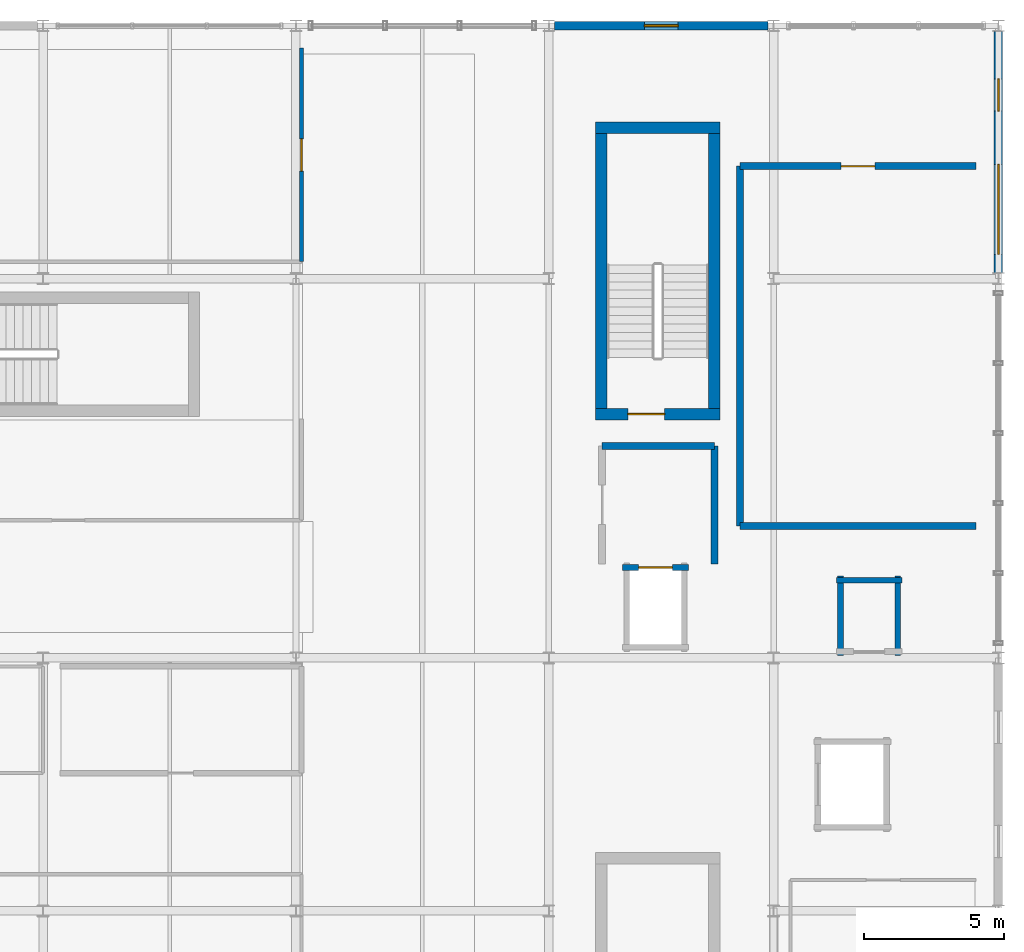
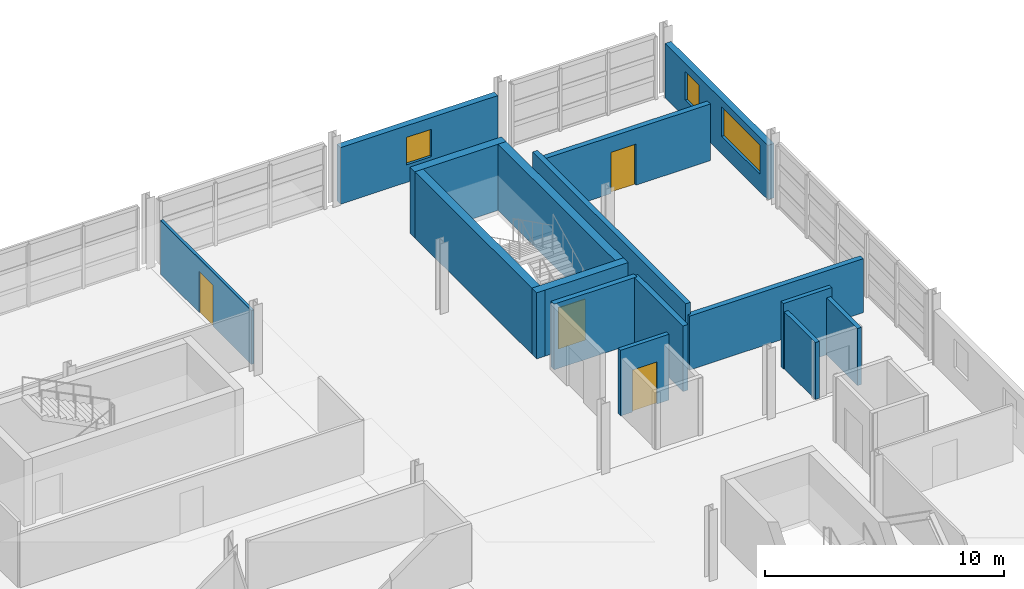
# One storey, part 103 of 116: 16 walls, 4 doors, 3 windows, 7 openings.
"""IFC4 building model written with IfcOpenShell, lengths in metres."""

from ifc_helpers import new_model, si_unit, direction, frame, frame_2d, origin, place, context, subcontext, project, spatial, rectangle, extrude, material, layer, layer_set, type_object, element, fill, save


model = new_model("IFC4")

# Units and contexts
model_context = context("Model", 3, precision=1e-05, world=origin(), true_north=direction((0.0, 1.0)))
body_context = subcontext(model_context, "Body", "Model", "MODEL_VIEW")
ifc_project = project(units=[si_unit("LENGTHUNIT", "METRE"), si_unit("AREAUNIT", "SQUARE_METRE"), si_unit("VOLUMEUNIT", "CUBIC_METRE"), si_unit("PLANEANGLEUNIT", "RADIAN"), si_unit("MASSUNIT", "GRAM", prefix="KILO")], contexts=[model_context])

# Site, building, storey
site_placement = place(None, origin())
site = spatial("IfcSite", under=ifc_project, at=site_placement, CompositionType="ELEMENT")
building_placement = place(site_placement, origin())
building = spatial("IfcBuilding", under=site, at=building_placement, Name="Chuanluo Vaults Station", CompositionType="ELEMENT")
storey_placement = place(building_placement, frame((0.0, 0.0, 10.800048828125)))
storey = spatial("IfcBuildingStorey", under=building, at=storey_placement, Name="L02", CompositionType="ELEMENT", Elevation=10.800048828125)

# Walls
ifc_material_1 = material(Name="Concrete C50", Category="concrete")
ifc_layer_1 = layer(ifc_material_1, 0.39990234375)
ifc_layer_set_1 = layer_set([ifc_layer_1], Name="Concrete C50")
wall_type_1 = type_object("IfcWallType", Name="WL-COR-400", PredefinedType="SHEAR", material=ifc_layer_set_1)
for number, where, z_axis, x_axis, name in (
    (1, (177.887451171875, 111.97509765625, 0.0), (0.0, 0.0, 1.0), (0.0, 1.0, 0.0), "Core K2 left shear wall"),
    (2, (173.867431640625, 122.572509765625, 0.0), (0.0, 0.0, 1.0), (0.0, -1.0, 0.0), "Core K2 right shear wall"),
):
    element("IfcWall", number, at=place(storey_placement, frame(where, z_axis=z_axis, x_axis=x_axis)), inside=storey, type_object=wall_type_1, Name=name, PredefinedType="SHEAR", context=body_context, shape_type="SweptSolid", body=[
        extrude(rectangle(XDim=10.597412109375, YDim=0.39990234375, at=frame_2d((5.298828125, 0.0))), origin(), (0.0, 0.0, 1.0), 3.3798828125),
    ])
wall_1_placement = place(storey_placement, frame((178.08740234375, 122.37255859375, 0.0), z_axis=(0.0, 0.0, 1.0), x_axis=(-1.0, 0.0, 0.0)))
element("IfcWall", 3, at=wall_1_placement, inside=storey, type_object=wall_type_1, Name="Core K2 far shear wall", PredefinedType="SHEAR", context=body_context, shape_type="SweptSolid", body=[
    extrude(rectangle(XDim=4.419921875, YDim=0.39990234375, at=frame_2d((2.2099609375, 0.0))), origin(), (0.0, 0.0, 1.0), 3.3798828125),
])

# Wall, opening, door
wall_2_placement = place(storey_placement, frame((173.66748046875, 112.175048828125, 0.0), z_axis=(0.0, 0.0, 1.0), x_axis=(1.0, 0.0, 0.0)))
wall_2 = element("IfcWall", 4, at=wall_2_placement, inside=storey, type_object=wall_type_1, Name="Core K2 near shear wall", PredefinedType="SHEAR", context=body_context, shape_type="SweptSolid", body=[
    extrude(rectangle(XDim=4.419921875, YDim=0.39990234375, at=frame_2d((2.2099609375, 0.0))), origin(), (0.0, 0.0, 1.0), 3.3798828125),
])
opening_1_placement = place(wall_2_placement, frame((1.14990234375, 0.0, 0.0)))
opening_1 = element("IfcOpeningElement", 5, at=opening_1_placement, cuts=wall_2, Name="Opening FD-05", PredefinedType="OPENING", context=body_context, shape_type="SweptSolid", body=[
    extrude(rectangle(XDim=1.300048828125, YDim=2.10009765625, at=frame_2d((0.64990234375, 1.050048828125))), frame((0.0, 0.20995, 0.0), z_axis=(0.0, -1.0, 0.0), x_axis=(1.0, 0.0, 0.0)), (0.0, 0.0, 1.0), 0.4199),
])
ifc_material_2 = material(Name="Fire-rated steel leaf", Category="steel")
door_type_1 = type_object("IfcDoorType", Name="DR-FIR-1300x2100", OperationType="NOTDEFINED", PredefinedType="DOOR", material=ifc_material_2)
door_1_placement = place(opening_1_placement, origin())
door_1 = element("IfcDoor", 6, at=door_1_placement, inside=storey, type_object=door_type_1, Name="D-068 Stair ST-02 fire door", OperationType="SINGLE_SWING_LEFT", OverallHeight=2.10009765625, OverallWidth=1.300048828125, PredefinedType="DOOR", context=body_context, shape_type="SweptSolid", body=[
    extrude(rectangle(XDim=1.300048828125, YDim=2.10009765625, at=frame_2d((0.64990234375, 1.050048828125))), frame((0.0, 0.02490234375, 0.0), z_axis=(0.0, -1.0, 0.0), x_axis=(1.0, 0.0, 0.0)), (0.0, 0.0, 1.0), 0.050048828125),
])
fill(opening_1, door_1)

# Wall, opening, window
ifc_material_3 = material(Name="Concrete C40", Category="concrete")
ifc_layer_2 = layer(ifc_material_3, 0.300048828125)
ifc_layer_set_2 = layer_set([ifc_layer_2], Name="Concrete C40")
wall_type_2 = type_object("IfcWallType", Name="WL-EXT-300", PredefinedType="SOLIDWALL", material=ifc_layer_set_2)
wall_3_placement = place(storey_placement, frame((172.199951171875, 126.0, 0.0), z_axis=(0.0, 0.0, 1.0), x_axis=(1.0, 0.0, 0.0)))
wall_3 = element("IfcWall", 7, at=wall_3_placement, inside=storey, type_object=wall_type_2, Name="L02 exterior punched wall 13", PredefinedType="SOLIDWALL", context=body_context, shape_type="SweptSolid", body=[
    extrude(rectangle(XDim=7.60009765625, YDim=0.300048828125, at=frame_2d((3.800048828125, 0.0))), origin(), (0.0, 0.0, 1.0), 2.89501953125),
])
opening_2_placement = place(wall_3_placement, frame((3.199951171875, 0.0, 0.89990234375)))
opening_2 = element("IfcOpeningElement", 8, at=opening_2_placement, cuts=wall_3, Name="Opening W-14", PredefinedType="OPENING", context=body_context, shape_type="SweptSolid", body=[
    extrude(rectangle(XDim=1.199951171875, YDim=1.39990234375, at=frame_2d((0.60009765625, 0.699951171875))), frame((0.0, 0.1599, 0.0), z_axis=(0.0, -1.0, 0.0), x_axis=(1.0, 0.0, 0.0)), (0.0, 0.0, 1.0), 0.32005),
])
ifc_material_4 = material(Name="Double-silver Low-E laminated glass", Category="glass")
window_type_1 = type_object("IfcWindowType", Name="WN-OPS-1200x1400", PartitioningType="SINGLE_PANEL", PredefinedType="WINDOW", material=ifc_material_4)
window_1_placement = place(opening_2_placement, origin())
window_1 = element("IfcWindow", 9, at=window_1_placement, inside=storey, type_object=window_type_1, Name="W-084 L02 facade window", OverallHeight=1.39990234375, OverallWidth=1.199951171875, PartitioningType="SINGLE_PANEL", PredefinedType="WINDOW", context=body_context, shape_type="SweptSolid", body=[
    extrude(rectangle(XDim=1.199951171875, YDim=1.39990234375, at=frame_2d((0.60009765625, 0.699951171875))), frame((0.0, 0.030029296875, 0.0), z_axis=(0.0, -1.0, 0.0), x_axis=(1.0, 0.0, 0.0)), (0.0, 0.0, 1.0), 0.06005859375),
])
fill(opening_2, window_1)

# Wall, openings, windows
wall_4_placement = place(storey_placement, frame((188.0, 125.7958984375, 0.0), z_axis=(0.0, 0.0, 1.0), x_axis=(0.0, -1.0, 0.0)))
wall_4 = element("IfcWall", 10, at=wall_4_placement, inside=storey, type_object=wall_type_2, Name="L02 exterior punched wall 16", PredefinedType="SOLIDWALL", context=body_context, shape_type="SweptSolid", body=[
    extrude(rectangle(XDim=8.591796875, YDim=0.300048828125, at=frame_2d((4.2958984375, 0.0))), origin(), (0.0, 0.0, 1.0), 2.77490234375),
])
opening_3_placement = place(wall_4_placement, frame((1.68603515625, 0.0, 0.89990234375)))
opening_3 = element("IfcOpeningElement", 11, at=opening_3_placement, cuts=wall_4, Name="Opening W-49", PredefinedType="OPENING", context=body_context, shape_type="SweptSolid", body=[
    extrude(rectangle(XDim=1.14990234375, YDim=1.449951171875, at=frame_2d((0.574951171875, 0.72509765625))), frame((0.0, 0.1599, 0.0), z_axis=(0.0, -1.0, 0.0), x_axis=(1.0, 0.0, 0.0)), (0.0, 0.0, 1.0), 0.32005),
])
opening_4_placement = place(wall_4_placement, frame((4.73095703125, 0.0, 0.89990234375)))
opening_4 = element("IfcOpeningElement", 12, at=opening_4_placement, cuts=wall_4, Name="Opening W-24", PredefinedType="OPENING", context=body_context, shape_type="SweptSolid", body=[
    extrude(rectangle(XDim=3.199951171875, YDim=1.5, at=frame_2d((1.60009765625, 0.75))), frame((0.0, 0.1599, 0.0), z_axis=(0.0, -1.0, 0.0), x_axis=(1.0, 0.0, 0.0)), (0.0, 0.0, 1.0), 0.32005),
])
ifc_material_5 = material(Name="Double-silver Low-E laminated glass", Category="glass")
window_type_2 = type_object("IfcWindowType", Name="WN-OBS-3200x1500", PartitioningType="SINGLE_PANEL", PredefinedType="WINDOW", material=ifc_material_5)
window_2_placement = place(opening_4_placement, origin())
window_2 = element("IfcWindow", 13, at=window_2_placement, inside=storey, type_object=window_type_2, Name="W-090 L02 facade window", OverallHeight=1.5, OverallWidth=3.199951171875, PartitioningType="SINGLE_PANEL", PredefinedType="WINDOW", context=body_context, shape_type="SweptSolid", body=[
    extrude(rectangle(XDim=3.199951171875, YDim=1.5, at=frame_2d((1.60009765625, 0.75))), frame((0.0, 0.030029296875, 0.0), z_axis=(0.0, -1.0, 0.0), x_axis=(1.0, 0.0, 0.0)), (0.0, 0.0, 1.0), 0.06005859375),
])
fill(opening_4, window_2)
ifc_material_6 = material(Name="Double-silver Low-E laminated glass", Category="glass")
window_type_3 = type_object("IfcWindowType", Name="WN-OPS-1150x1450", PartitioningType="SINGLE_PANEL", PredefinedType="WINDOW", material=ifc_material_6)
window_3_placement = place(opening_3_placement, origin())
window_3 = element("IfcWindow", 14, at=window_3_placement, inside=storey, type_object=window_type_3, Name="W-089 L02 facade window", OverallHeight=1.449951171875, OverallWidth=1.14990234375, PartitioningType="SINGLE_PANEL", PredefinedType="WINDOW", context=body_context, shape_type="SweptSolid", body=[
    extrude(rectangle(XDim=1.14990234375, YDim=1.449951171875, at=frame_2d((0.574951171875, 0.72509765625))), frame((0.0, 0.030029296875, 0.0), z_axis=(0.0, -1.0, 0.0), x_axis=(1.0, 0.0, 0.0)), (0.0, 0.0, 1.0), 0.06005859375),
])
fill(opening_3, window_3)

# Wall
ifc_material_7 = material(Name="Concrete C40", Category="concrete")
ifc_layer_3 = layer(ifc_material_7, 0.25)
ifc_layer_set_3 = layer_set([ifc_layer_3], Name="Concrete C40")
wall_type_3 = type_object("IfcWallType", Name="WL-FIR-250", PredefinedType="SOLIDWALL", material=ifc_layer_set_3)
wall_5_placement = place(storey_placement, frame((187.199951171875, 108.199951171875, 0.0), z_axis=(0.0, 0.0, 1.0), x_axis=(-1.0, 0.0, 0.0)))
element("IfcWall", 15, at=wall_5_placement, inside=storey, type_object=wall_type_3, Name="L02-22 East Telecom Patch Room S partition", PredefinedType="SOLIDWALL", context=body_context, shape_type="SweptSolid", body=[
    extrude(rectangle(XDim=8.39990234375, YDim=0.25, at=frame_2d((4.199951171875, 0.0))), origin(), (0.0, 0.0, 1.0), 2.7548828125),
])

# Wall, opening, door
wall_6_placement = place(storey_placement, frame((178.800048828125, 121.0, 0.0), z_axis=(0.0, 0.0, 1.0), x_axis=(1.0, 0.0, 0.0)))
wall_6 = element("IfcWall", 16, at=wall_6_placement, inside=storey, type_object=wall_type_3, Name="L02-22 East Telecom Patch Room N partition", PredefinedType="SOLIDWALL", context=body_context, shape_type="SweptSolid", body=[
    extrude(rectangle(XDim=8.39990234375, YDim=0.25, at=frame_2d((4.199951171875, 0.0))), origin(), (0.0, 0.0, 1.0), 2.89501953125),
])
opening_5_placement = place(wall_6_placement, frame((3.60009765625, 0.0, 0.0)))
opening_5 = element("IfcOpeningElement", 17, at=opening_5_placement, cuts=wall_6, Name="Opening FD-06", PredefinedType="OPENING", context=body_context, shape_type="SweptSolid", body=[
    extrude(rectangle(XDim=1.199951171875, YDim=2.10009765625, at=frame_2d((0.60009765625, 1.050048828125))), frame((0.0, 0.135, 0.0), z_axis=(0.0, -1.0, 0.0), x_axis=(1.0, 0.0, 0.0)), (0.0, 0.0, 1.0), 0.27),
])
ifc_material_8 = material(Name="Fire-rated steel leaf", Category="steel")
door_type_2 = type_object("IfcDoorType", Name="DR-FIR-1200x2100", OperationType="NOTDEFINED", PredefinedType="DOOR", material=ifc_material_8)
door_2_placement = place(opening_5_placement, origin())
door_2 = element("IfcDoor", 18, at=door_2_placement, inside=storey, type_object=door_type_2, Name="D-216 East Telecom Patch Room door", OperationType="SINGLE_SWING_LEFT", OverallHeight=2.10009765625, OverallWidth=1.199951171875, PredefinedType="DOOR", context=body_context, shape_type="SweptSolid", body=[
    extrude(rectangle(XDim=1.199951171875, YDim=2.10009765625, at=frame_2d((0.60009765625, 1.050048828125))), frame((0.0, 0.02490234375, 0.0), z_axis=(0.0, -1.0, 0.0), x_axis=(1.0, 0.0, 0.0)), (0.0, 0.0, 1.0), 0.050048828125),
])
fill(opening_5, door_2)

# Walls
wall_7_placement = place(storey_placement, frame((178.800048828125, 108.199951171875, 0.0), z_axis=(0.0, 0.0, 1.0), x_axis=(0.0, 1.0, 0.0)))
element("IfcWall", 19, at=wall_7_placement, inside=storey, type_object=wall_type_3, Name="L02-22 East Telecom Patch Room W partition", PredefinedType="SOLIDWALL", context=body_context, shape_type="SweptSolid", body=[
    extrude(rectangle(XDim=12.800048828125, YDim=0.25, at=frame_2d((6.39990234375, 0.0))), origin(), (0.0, 0.0, 1.0), 3.35498046875),
])
wall_8_placement = place(storey_placement, frame((173.89990234375, 111.050048828125, 0.0), z_axis=(0.0, 0.0, 1.0), x_axis=(1.0, 0.0, 0.0)))
element("IfcWall", 20, at=wall_8_placement, inside=storey, type_object=wall_type_3, Name="L02-FFL-K2 Firefighting Lift Lobby FFL-02 L02 N partition", PredefinedType="SOLIDWALL", context=body_context, shape_type="SweptSolid", body=[
    extrude(rectangle(XDim=4.0, YDim=0.25, at=frame_2d((2.0, 0.0))), origin(), (0.0, 0.0, 1.0), 3.35498046875),
])
wall_9_placement = place(storey_placement, frame((177.89990234375, 111.050048828125, 0.0), z_axis=(0.0, 0.0, 1.0), x_axis=(0.0, -1.0, 0.0)))
element("IfcWall", 21, at=wall_9_placement, inside=storey, type_object=wall_type_3, Name="L02-FFL-K2 Firefighting Lift Lobby FFL-02 L02 E partition", PredefinedType="SOLIDWALL", context=body_context, shape_type="SweptSolid", body=[
    extrude(rectangle(XDim=4.199951171875, YDim=0.25, at=frame_2d((2.10009765625, 0.0))), origin(), (0.0, 0.0, 1.0), 3.35498046875),
])

# Wall, opening, door
ifc_material_9 = material(Name="Masonry blockwork M10", Category="masonry")
ifc_layer_4 = layer(ifc_material_9, 0.1298828125)
ifc_layer_set_4 = layer_set([ifc_layer_4], Name="Masonry blockwork M10")
wall_type_4 = type_object("IfcWallType", Name="WL-PRT-130", PredefinedType="PARTITIONING", material=ifc_layer_set_4)
wall_10_placement = place(storey_placement, frame((163.199951171875, 125.199951171875, 0.0), z_axis=(0.0, 0.0, 1.0), x_axis=(0.0, -1.0, 0.0)))
wall_10 = element("IfcWall", 22, at=wall_10_placement, inside=storey, type_object=wall_type_4, Name="L02-19 North Crew Training Room E partition", PredefinedType="PARTITIONING", context=body_context, shape_type="SweptSolid", body=[
    extrude(rectangle(XDim=7.599853515625, YDim=0.1298828125, at=frame_2d((3.7998046875, 0.0))), origin(), (0.0, 0.0, 1.0), 2.7548828125),
])
opening_6_placement = place(wall_10_placement, frame((3.22509765625, 0.0, 0.0)))
opening_6 = element("IfcOpeningElement", 23, at=opening_6_placement, cuts=wall_10, Name="Opening D-I06", PredefinedType="OPENING", context=body_context, shape_type="SweptSolid", body=[
    extrude(rectangle(XDim=1.14990234375, YDim=2.10009765625, at=frame_2d((0.574951171875, 1.050048828125))), frame((0.0, 0.07494, 0.0), z_axis=(0.0, -1.0, 0.0), x_axis=(1.0, 0.0, 0.0)), (0.0, 0.0, 1.0), 0.14988),
])
ifc_material_10 = material(Name="Anodised aluminium 6063-T6", Category="aluminium")
door_type_3 = type_object("IfcDoorType", Name="DR-INT-1150x2100", OperationType="NOTDEFINED", PredefinedType="DOOR", material=ifc_material_10)
door_3_placement = place(opening_6_placement, origin())
door_3 = element("IfcDoor", 24, at=door_3_placement, inside=storey, type_object=door_type_3, Name="D-214 North Crew Training Room door", OperationType="SINGLE_SWING_LEFT", OverallHeight=2.10009765625, OverallWidth=1.14990234375, PredefinedType="DOOR", context=body_context, shape_type="SweptSolid", body=[
    extrude(rectangle(XDim=1.14990234375, YDim=2.10009765625, at=frame_2d((0.574951171875, 1.050048828125))), frame((0.0, 0.02490234375, 0.0), z_axis=(0.0, -1.0, 0.0), x_axis=(1.0, 0.0, 0.0)), (0.0, 0.0, 1.0), 0.050048828125),
])
fill(opening_6, door_3)

ifc_material_11 = material(Name="Concrete C40", Category="concrete")
ifc_layer_5 = layer(ifc_material_11, 0.199951171875)
ifc_layer_set_5 = layer_set([ifc_layer_5], Name="Concrete C40")
wall_type_5 = type_object("IfcWallType", Name="WL-SHF-200", PredefinedType="SOLIDWALL", material=ifc_layer_set_5)
wall_11_placement = place(storey_placement, frame((176.969970703125, 106.719970703125, 0.0), z_axis=(0.0, 0.0, 1.0), x_axis=(-1.0, 0.0, 0.0)))
wall_11 = element("IfcWall", 25, at=wall_11_placement, inside=storey, type_object=wall_type_5, Name="Lift FFL-02 shaft wall L02 +Y", PredefinedType="SOLIDWALL", context=body_context, shape_type="SweptSolid", body=[
    extrude(rectangle(XDim=2.340087890625, YDim=0.199951171875, at=frame_2d((1.169921875, 0.0))), origin(), (0.0, 0.0, 1.0), 3.35498046875),
])
opening_7_placement = place(wall_11_placement, frame((0.570068359375, 0.0, 0.0)))
opening_7 = element("IfcOpeningElement", 26, at=opening_7_placement, cuts=wall_11, Name="Opening LD-02", PredefinedType="OPENING", context=body_context, shape_type="SweptSolid", body=[
    extrude(rectangle(XDim=1.199951171875, YDim=2.14990234375, at=frame_2d((0.60009765625, 1.074951171875))), frame((0.0, 0.1101, 0.0), z_axis=(0.0, -1.0, 0.0), x_axis=(1.0, 0.0, 0.0)), (0.0, 0.0, 1.0), 0.21995),
])
ifc_material_12 = material(Name="Brushed stainless steel 304", Category="steel")
door_type_4 = type_object("IfcDoorType", Name="DR-LFT-1200x2150", OperationType="SLIDING_TO_LEFT", PredefinedType="DOOR", material=ifc_material_12)
door_4_placement = place(opening_7_placement, origin())
door_4 = element("IfcDoor", 27, at=door_4_placement, inside=storey, type_object=door_type_4, Name="LD-FFL-02-04 Lift FFL-02 sliding landing door L02", OperationType="SLIDING_TO_LEFT", OverallHeight=2.14990234375, OverallWidth=1.199951171875, PredefinedType="DOOR", context=body_context, shape_type="SweptSolid", body=[
    extrude(rectangle(XDim=1.199951171875, YDim=2.14990234375, at=frame_2d((0.60009765625, 1.074951171875))), frame((0.0, 0.02490234375, 0.0), z_axis=(0.0, -1.0, 0.0), x_axis=(1.0, 0.0, 0.0)), (0.0, 0.0, 1.0), 0.050048828125),
])
fill(opening_7, door_4)

# Walls
wall_12_placement = place(storey_placement, frame((184.570068359375, 106.27001953125, 0.0), z_axis=(0.0, 0.0, 1.0), x_axis=(-1.0, 0.0, 0.0)))
element("IfcWall", 28, at=wall_12_placement, inside=storey, type_object=wall_type_5, Name="Lift EL-04 shaft wall L02 +Y", PredefinedType="SOLIDWALL", context=body_context, shape_type="SweptSolid", body=[
    extrude(rectangle(XDim=2.340087890625, YDim=0.199951171875, at=frame_2d((1.169921875, 0.0))), origin(), (0.0, 0.0, 1.0), 3.35498046875),
])
for number, where, z_axis, x_axis, name in (
    (29, (182.3798828125, 106.419921875, 0.0), (0.0, 0.0, 1.0), (0.0, -1.0, 0.0), "Lift EL-04 shaft wall L02 -X"),
    (30, (184.419921875, 103.580078125, 0.0), (0.0, 0.0, 1.0), (0.0, 1.0, 0.0), "Lift EL-04 shaft wall L02 +X"),
):
    element("IfcWall", number, at=place(storey_placement, frame(where, z_axis=z_axis, x_axis=x_axis)), inside=storey, type_object=wall_type_5, Name=name, PredefinedType="SOLIDWALL", context=body_context, shape_type="SweptSolid", body=[
        extrude(rectangle(XDim=2.83984375, YDim=0.199951171875, at=frame_2d((1.419921875, 0.0))), origin(), (0.0, 0.0, 1.0), 2.9150390625),
    ])

save(model, "model.ifc")
